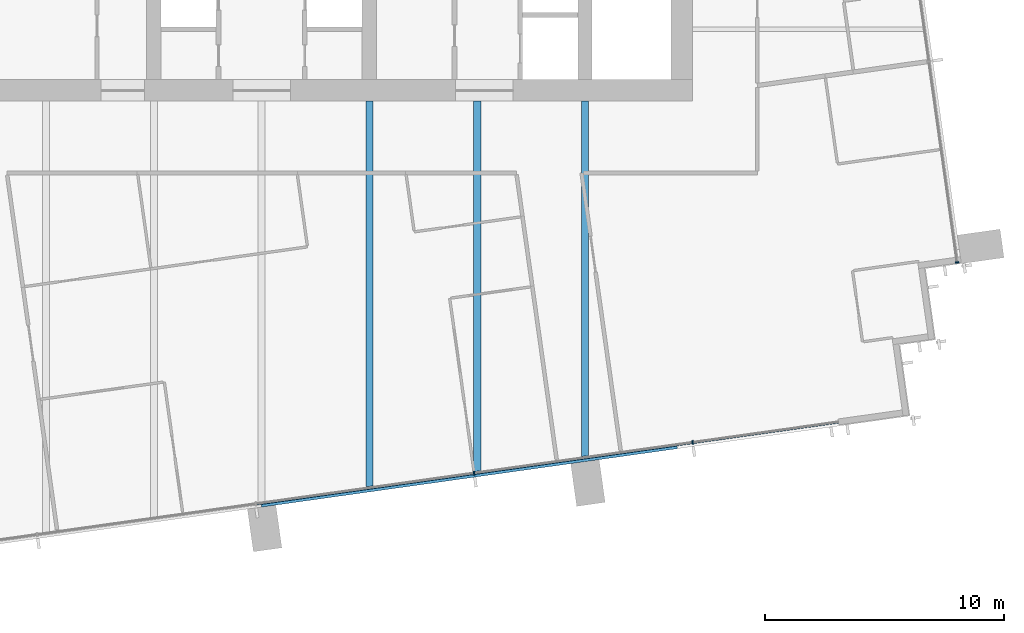
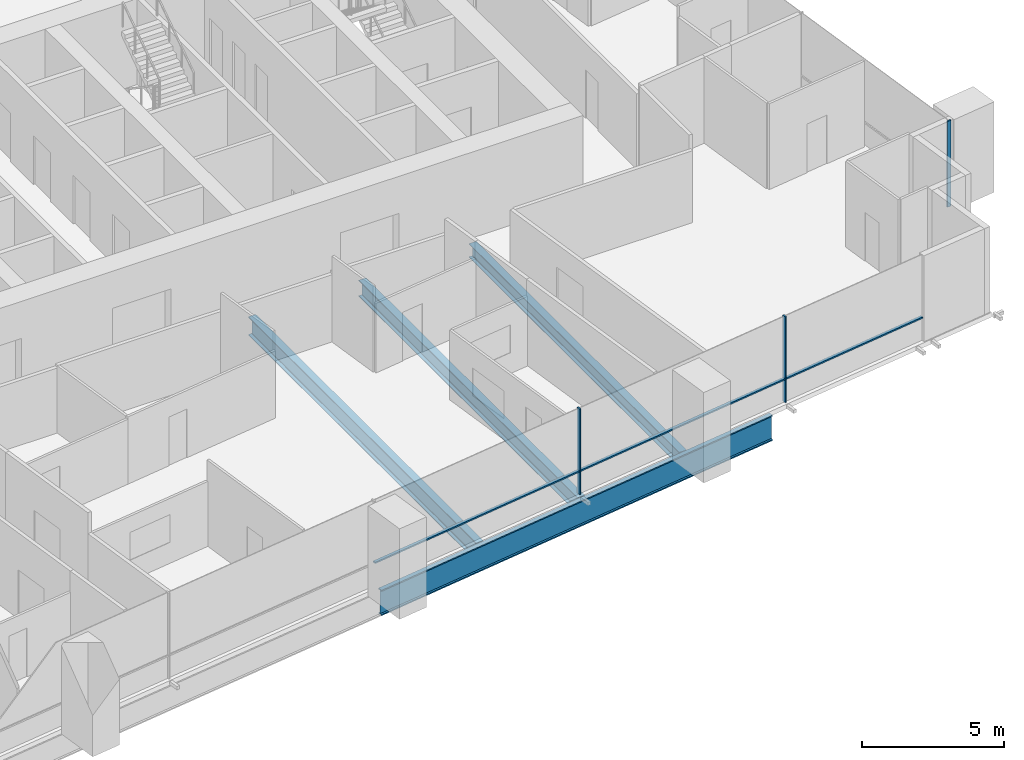
# One storey, part 4 of 14: 6 members, 4 beams, 2 elements without a shape of their own.
"""IFC4 building model written with IfcOpenShell, lengths in metres."""

from ifc_helpers import new_model, si_unit, direction, frame, origin, origin_2d, place, context, subcontext, project, spatial, rectangle, i_section, extrude, material, material_profile, profile_set, type_object, element, aggregate, save


model = new_model("IFC4")

# Units and contexts
model_context = context("Model", 3, precision=1e-05, world=origin(), true_north=direction((0.0, 1.0)))
body_context = subcontext(model_context, "Body", "Model", "MODEL_VIEW")
ifc_project = project(units=[si_unit("LENGTHUNIT", "METRE"), si_unit("AREAUNIT", "SQUARE_METRE"), si_unit("VOLUMEUNIT", "CUBIC_METRE"), si_unit("PLANEANGLEUNIT", "RADIAN"), si_unit("MASSUNIT", "GRAM", prefix="KILO")], contexts=[model_context])

# Site, building, storey
site_placement = place(None, origin())
site = spatial("IfcSite", under=ifc_project, at=site_placement, CompositionType="ELEMENT")
building_placement = place(site_placement, origin())
building = spatial("IfcBuilding", under=site, at=building_placement, Name="Rattan Terrace Tower", CompositionType="ELEMENT")
storey_placement = place(building_placement, frame((0.0, 0.0, 184.10009765625)))
storey = spatial("IfcBuildingStorey", under=building, at=storey_placement, Name="L42", CompositionType="ELEMENT", Elevation=184.10009765625)

# Curtain wall, member
ifc_material_1 = material(Name="Aluminium and glass", Category="aluminium")
curtain_wall_type = type_object("IfcCurtainWallType", Name="Facade Unitised Curtain Wall", PredefinedType="NOTDEFINED", material=ifc_material_1)
curtain_wall_1_placement = place(storey_placement, origin())
curtain_wall_1 = element("IfcCurtainWall", 1, at=curtain_wall_1_placement, inside=storey, type_object=curtain_wall_type, Name="Curtain wall L42-1", PredefinedType="NOTDEFINED")
ifc_material_2 = material(Name="Aluminium", Category="aluminium")
ifc_material_profile_1 = material_profile(ifc_material_2, rectangle(XDim=0.06005859375, YDim=0.159912109375, at=origin_2d()), Name="Aluminium 60x160")
ifc_profile_set_1 = profile_set([ifc_material_profile_1], Name="Aluminium")
member_type_1 = type_object("IfcMemberType", Name="Facade CW Mullion 60x160", PredefinedType="MULLION", material=ifc_profile_set_1)
member_1_placement = place(storey_placement, frame((29.037109375, -14.2333984375, 0.0), z_axis=(0.0, 0.0, 1.0), x_axis=(-0.139190856006, 0.99026557327, 0.0)))
member_1 = element("IfcMember", 2, at=member_1_placement, type_object=member_type_1, Name="Mullion cwl-L42-001.1", PredefinedType="MULLION", context=body_context, shape_type="SweptSolid", body=[
    extrude(rectangle(XDim=0.06005859375, YDim=0.159912109375, at=origin_2d()), origin(), (0.0, 0.0, 1.0), 3.699951171875),
])
aggregate(curtain_wall_1, [member_1])

# Curtain wall, members
curtain_wall_2_placement = place(storey_placement, origin())
curtain_wall_2 = element("IfcCurtainWall", 3, at=curtain_wall_2_placement, inside=storey, type_object=curtain_wall_type, Name="Curtain wall L42-4", PredefinedType="NOTDEFINED")
member_2_placement = place(storey_placement, frame((8.873291015625, -23.0302734375, 0.0), z_axis=(0.0, 0.0, 1.0), x_axis=(0.990269702686, 0.139161474347, 0.0)))
member_2 = element("IfcMember", 4, at=member_2_placement, type_object=member_type_1, Name="Mullion cwl-L42-004.4", PredefinedType="MULLION", context=body_context, shape_type="SweptSolid", body=[
    extrude(rectangle(XDim=0.06005859375, YDim=0.159912109375, at=origin_2d()), origin(), (0.0, 0.0, 1.0), 3.699951171875),
])
member_3_placement = place(storey_placement, frame((17.996826171875, -21.748291015625, 0.0), z_axis=(0.0, 0.0, 1.0), x_axis=(0.990269702686, 0.139161474347, 0.0)))
member_3 = element("IfcMember", 5, at=member_3_placement, type_object=member_type_1, Name="Mullion cwl-L42-004.5", PredefinedType="MULLION", context=body_context, shape_type="SweptSolid", body=[
    extrude(rectangle(XDim=0.06005859375, YDim=0.159912109375, at=origin_2d()), origin(), (0.0, 0.0, 1.0), 3.699951171875),
])
ifc_material_3 = material(Name="Aluminium", Category="aluminium")
ifc_material_profile_2 = material_profile(ifc_material_3, rectangle(XDim=0.1201171875, YDim=0.06005859375, at=origin_2d()), Name="Aluminium 120x60")
ifc_profile_set_2 = profile_set([ifc_material_profile_2], Name="Aluminium")
member_type_2 = type_object("IfcMemberType", Name="Facade CW Transom 120x60", PredefinedType="USERDEFINED", material=ifc_profile_set_2)
member_4_placement = place(storey_placement, frame((-0.22021484375, -24.308349609375, 1.0), z_axis=(0.990267035849, 0.139180450171, 0.0), x_axis=(-0.139180450171, 0.990267035849, 0.0)))
member_4 = element("IfcMember", 6, at=member_4_placement, type_object=member_type_2, Name="Transom cwl-L42-004.3", ObjectType="TRANSOM", PredefinedType="USERDEFINED", context=body_context, shape_type="SweptSolid", body=[
    extrude(rectangle(XDim=0.1201171875, YDim=0.06005859375, at=origin_2d()), origin(), (0.0, 0.0, 1.0), 9.153076171875),
])
member_5_placement = place(storey_placement, frame((8.903076171875, -23.026123046875, 1.0), z_axis=(0.990270711765, 0.139154293575, 0.0), x_axis=(-0.139154293575, 0.990270711765, 0.0)))
member_5 = element("IfcMember", 7, at=member_5_placement, type_object=member_type_2, Name="Transom cwl-L42-004.4", ObjectType="TRANSOM", PredefinedType="USERDEFINED", context=body_context, shape_type="SweptSolid", body=[
    extrude(rectangle(XDim=0.1201171875, YDim=0.06005859375, at=origin_2d()), origin(), (0.0, 0.0, 1.0), 9.153076171875),
])
member_6_placement = place(storey_placement, frame((18.0263671875, -21.744140625, 1.0), z_axis=(0.990267752185, 0.139175353357, 0.0), x_axis=(-0.139175353357, 0.990267752185, 0.0)))
member_6 = element("IfcMember", 8, at=member_6_placement, type_object=member_type_2, Name="Transom cwl-L42-004.5", ObjectType="TRANSOM", PredefinedType="USERDEFINED", context=body_context, shape_type="SweptSolid", body=[
    extrude(rectangle(XDim=0.1201171875, YDim=0.06005859375, at=origin_2d()), origin(), (0.0, 0.0, 1.0), 6.11865234375),
])
aggregate(curtain_wall_2, [member_2, member_3, member_4, member_5, member_6])

# Beams
ifc_material_4 = material(Name="Steel S460", Category="steel")
ifc_material_profile_3 = material_profile(ifc_material_4, i_section(OverallWidth=0.179931640625, OverallDepth=1.10009765625, WebThickness=0.01611328125, FlangeThickness=0.050048828125, at=origin_2d()), Name="PG 1100x180-16-50")
ifc_profile_set_3 = profile_set([ifc_material_profile_3], Name="Steel S460")
beam_type_1 = type_object("IfcBeamType", Name="Frame edge girder PG 1100x180-16-50", PredefinedType="SPANDREL", material=ifc_profile_set_3)
beam_1_placement = place(storey_placement, frame((17.347900390625, -21.9208984375, -0.75), z_axis=(-0.990273554652, -0.139134061096, 0.0), x_axis=(0.139134061096, -0.990273554652, 0.0)))
element("IfcBeam", 9, at=beam_1_placement, inside=storey, type_object=beam_type_1, Name="gdr-L42-002", PredefinedType="SPANDREL", context=body_context, shape_type="SweptSolid", body=[
    extrude(i_section(OverallWidth=0.179931640625, OverallDepth=1.10009765625, WebThickness=0.01611328125, FlangeThickness=0.050048828125, at=origin_2d()), origin(), (0.0, 0.0, 1.0), 17.53125),
])
ifc_material_5 = material(Name="Steel S355", Category="steel")
ifc_material_profile_4 = material_profile(ifc_material_5, i_section(OverallWidth=0.300048828125, OverallDepth=0.60009765625, WebThickness=0.015380859375, FlangeThickness=0.030029296875, FilletRadius=0.027099609375, at=origin_2d()), Name="HE 600 B")
ifc_profile_set_4 = profile_set([ifc_material_profile_4], Name="Steel S355")
beam_type_2 = type_object("IfcBeamType", Name="Frame floor beam HE 600 B", PredefinedType="JOIST", material=ifc_profile_set_4)
beam_2_placement = place(storey_placement, frame((13.5, -22.35009765625, -0.5), z_axis=(0.0, 1.0, 0.0), x_axis=(-1.0, 0.0, 0.0)))
element("IfcBeam", 10, at=beam_2_placement, inside=storey, type_object=beam_type_2, Name="bm-L42-009", PredefinedType="JOIST", context=body_context, shape_type="SweptSolid", body=[
    extrude(i_section(OverallWidth=0.300048828125, OverallDepth=0.60009765625, WebThickness=0.015380859375, FlangeThickness=0.030029296875, FilletRadius=0.027099609375, at=origin_2d()), origin(), (0.0, 0.0, 1.0), 14.85009765625),
])
ifc_material_6 = material(Name="Steel S355", Category="steel")
ifc_material_profile_5 = material_profile(ifc_material_6, i_section(OverallWidth=0.300048828125, OverallDepth=0.699951171875, WebThickness=0.01708984375, FlangeThickness=0.031982421875, FilletRadius=0.027099609375, at=origin_2d()), Name="HE 700 B")
ifc_profile_set_5 = profile_set([ifc_material_profile_5], Name="Steel S355")
beam_type_3 = type_object("IfcBeamType", Name="Frame floor beam HE 700 B", PredefinedType="JOIST", material=ifc_profile_set_5)
beam_3_placement = place(storey_placement, frame((9.0, -22.98193359375, -0.550048828125), z_axis=(0.0, 1.0, 0.0), x_axis=(-1.0, 0.0, 0.0)))
element("IfcBeam", 11, at=beam_3_placement, inside=storey, type_object=beam_type_3, Name="bm-L42-008", PredefinedType="JOIST", context=body_context, shape_type="SweptSolid", body=[
    extrude(i_section(OverallWidth=0.300048828125, OverallDepth=0.699951171875, WebThickness=0.01708984375, FlangeThickness=0.031982421875, FilletRadius=0.027099609375, at=origin_2d()), origin(), (0.0, 0.0, 1.0), 15.48193359375),
])
ifc_material_7 = material(Name="Steel S355", Category="steel")
ifc_material_profile_6 = material_profile(ifc_material_7, i_section(OverallWidth=0.300048828125, OverallDepth=0.800048828125, WebThickness=0.017578125, FlangeThickness=0.032958984375, FilletRadius=0.030029296875, at=origin_2d()), Name="HE 800 B")
ifc_profile_set_6 = profile_set([ifc_material_profile_6], Name="Steel S355")
beam_type_4 = type_object("IfcBeamType", Name="Frame floor beam HE 800 B", PredefinedType="JOIST", material=ifc_profile_set_6)
beam_4_placement = place(storey_placement, frame((4.5, -23.614013671875, -0.60009765625), z_axis=(0.0, 1.0, 0.0), x_axis=(-1.0, 0.0, 0.0)))
element("IfcBeam", 12, at=beam_4_placement, inside=storey, type_object=beam_type_4, Name="bm-L42-007", PredefinedType="JOIST", context=body_context, shape_type="SweptSolid", body=[
    extrude(i_section(OverallWidth=0.300048828125, OverallDepth=0.800048828125, WebThickness=0.017578125, FlangeThickness=0.032958984375, FilletRadius=0.030029296875, at=origin_2d()), origin(), (0.0, 0.0, 1.0), 16.114013671875),
])

save(model, "model.ifc")
